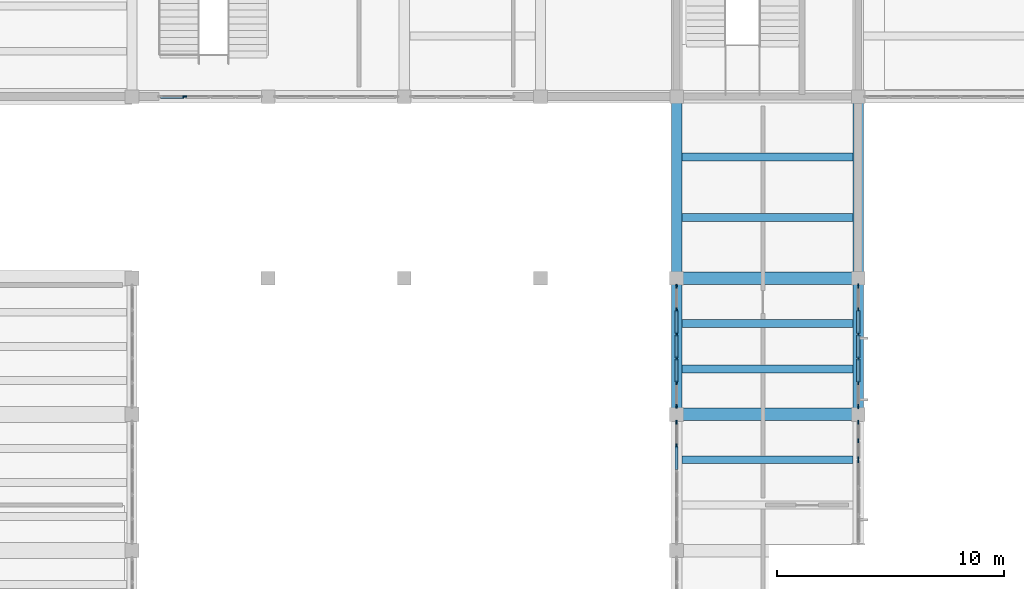
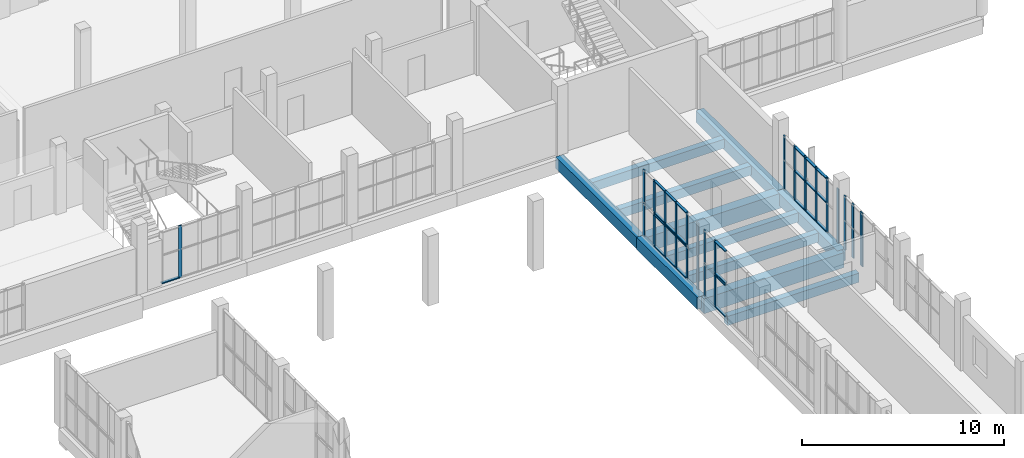
# One storey, part 21 of 85: 53 members, 11 beams, 8 elements without a shape of their own.
"""IFC4 building model written with IfcOpenShell, lengths in metres."""

from ifc_helpers import new_model, si_unit, direction, frame, origin, origin_2d, place, context, subcontext, project, spatial, rectangle, extrude, material, layer, layer_set, material_profile, profile_set, type_object, element, aggregate, save


model = new_model("IFC4")

# Units and contexts
model_context = context("Model", 3, precision=1e-05, world=origin(), true_north=direction((0.0, 1.0)))
body_context = subcontext(model_context, "Body", "Model", "MODEL_VIEW")
ifc_project = project(units=[si_unit("LENGTHUNIT", "METRE"), si_unit("AREAUNIT", "SQUARE_METRE"), si_unit("VOLUMEUNIT", "CUBIC_METRE"), si_unit("PLANEANGLEUNIT", "RADIAN"), si_unit("MASSUNIT", "GRAM", prefix="KILO")], contexts=[model_context])

# Site, building, storey
site_placement = place(None, origin())
site = spatial("IfcSite", under=ifc_project, at=site_placement, CompositionType="ELEMENT")
building_placement = place(site_placement, origin())
building = spatial("IfcBuilding", under=site, at=building_placement, Name="Solvane Community Centre", CompositionType="ELEMENT")
storey_placement = place(building_placement, frame((0.0, 0.0, 5.39990234375)))
storey = spatial("IfcBuildingStorey", under=building, at=storey_placement, Name="L01", CompositionType="ELEMENT", Elevation=5.39990234375)

# Curtain wall, member
ifc_material_1 = material(Name="Anodised bronze aluminium AW-6063 T6", Category="aluminium")
ifc_layer_1 = layer(ifc_material_1, 0.18994140625)
ifc_layer_set_1 = layer_set([ifc_layer_1], Name="Anodised bronze aluminium AW-6063 T6")
curtain_wall_type_1 = type_object("IfcCurtainWallType", Name="Boulevard Bronze Vision Curtain Wall [45x31dm]", PredefinedType="NOTDEFINED", material=ifc_layer_set_1)
curtain_wall_1_placement = place(storey_placement, origin())
curtain_wall_1 = element("IfcCurtainWall", 1, at=curtain_wall_1_placement, inside=storey, type_object=curtain_wall_type_1, Name="Curtain Wall CW-L01-417_860-099", PredefinedType="NOTDEFINED")
ifc_material_profile_1 = material_profile(ifc_material_1, rectangle(XDim=0.06005859375, YDim=0.18994140625, at=origin_2d()), Name="CW-M 60x190")
ifc_profile_set_1 = profile_set([ifc_material_profile_1], Name="Anodised bronze aluminium AW-6063 T6")
member_type_1 = type_object("IfcMemberType", Name="Boulevard Mullion 60x190", PredefinedType="MULLION", material=ifc_profile_set_1)
member_1_placement = place(storey_placement, frame((38.3212890625, 86.0, 0.0), z_axis=(0.0, 0.0, 1.0), x_axis=(0.0, -1.0, 0.0)))
member_1 = element("IfcMember", 2, at=member_1_placement, type_object=member_type_1, Name="CW02-45x31 mullion 4", PredefinedType="MULLION", context=body_context, shape_type="SweptSolid", body=[
    extrude(rectangle(XDim=0.06005859375, YDim=0.18994140625, at=origin_2d()), origin(), (0.0, 0.0, 1.0), 3.135009765625),
])

# Curtain wall, members
ifc_layer_2 = layer(ifc_material_1, 0.18994140625)
ifc_layer_set_2 = layer_set([ifc_layer_2], Name="Anodised bronze aluminium AW-6063 T6")
curtain_wall_type_2 = type_object("IfcCurtainWallType", Name="Boulevard Bronze Vision Curtain Wall [54x32dm]", PredefinedType="NOTDEFINED", material=ifc_layer_set_2)
curtain_wall_2_placement = place(storey_placement, origin())
curtain_wall_2 = element("IfcCurtainWall", 3, at=curtain_wall_2_placement, inside=storey, type_object=curtain_wall_type_2, Name="Curtain Wall CW-L01-680_777-103", PredefinedType="NOTDEFINED")
member_2_placement = place(storey_placement, frame((68.0, 77.64990234375, 0.0), z_axis=(0.0, 0.0, 1.0), x_axis=(1.0, 0.0, 0.0)))
member_2 = element("IfcMember", 4, at=member_2_placement, type_object=member_type_1, Name="CW02-54x32 mullion 1", PredefinedType="MULLION", context=body_context, shape_type="SweptSolid", body=[
    extrude(rectangle(XDim=0.06005859375, YDim=0.18994140625, at=origin_2d()), origin(), (0.0, 0.0, 1.0), 3.2451171875),
])
member_3_placement = place(storey_placement, frame((68.0, 76.60791015625, 0.0), z_axis=(0.0, 0.0, 1.0), x_axis=(1.0, 0.0, 0.0)))
member_3 = element("IfcMember", 5, at=member_3_placement, type_object=member_type_1, Name="CW02-54x32 mullion 2", PredefinedType="MULLION", context=body_context, shape_type="SweptSolid", body=[
    extrude(rectangle(XDim=0.06005859375, YDim=0.18994140625, at=origin_2d()), origin(), (0.0, 0.0, 1.0), 3.2451171875),
])
member_4_placement = place(storey_placement, frame((68.0, 75.535888671875, 0.0), z_axis=(0.0, 0.0, 1.0), x_axis=(1.0, 0.0, 0.0)))
member_4 = element("IfcMember", 6, at=member_4_placement, type_object=member_type_1, Name="CW02-54x32 mullion 3", PredefinedType="MULLION", context=body_context, shape_type="SweptSolid", body=[
    extrude(rectangle(XDim=0.06005859375, YDim=0.18994140625, at=origin_2d()), origin(), (0.0, 0.0, 1.0), 3.2451171875),
])
member_5_placement = place(storey_placement, frame((68.0, 74.464111328125, 0.0), z_axis=(0.0, 0.0, 1.0), x_axis=(1.0, 0.0, 0.0)))
member_5 = element("IfcMember", 7, at=member_5_placement, type_object=member_type_1, Name="CW02-54x32 mullion 4", PredefinedType="MULLION", context=body_context, shape_type="SweptSolid", body=[
    extrude(rectangle(XDim=0.06005859375, YDim=0.18994140625, at=origin_2d()), origin(), (0.0, 0.0, 1.0), 3.2451171875),
])
member_6_placement = place(storey_placement, frame((68.0, 73.39208984375, 0.0), z_axis=(0.0, 0.0, 1.0), x_axis=(1.0, 0.0, 0.0)))
member_6 = element("IfcMember", 8, at=member_6_placement, type_object=member_type_1, Name="CW02-54x32 mullion 5", PredefinedType="MULLION", context=body_context, shape_type="SweptSolid", body=[
    extrude(rectangle(XDim=0.06005859375, YDim=0.18994140625, at=origin_2d()), origin(), (0.0, 0.0, 1.0), 3.2451171875),
])
member_7_placement = place(storey_placement, frame((68.0, 72.35009765625, 0.0), z_axis=(0.0, 0.0, 1.0), x_axis=(1.0, 0.0, 0.0)))
member_7 = element("IfcMember", 9, at=member_7_placement, type_object=member_type_1, Name="CW02-54x32 mullion 6", PredefinedType="MULLION", context=body_context, shape_type="SweptSolid", body=[
    extrude(rectangle(XDim=0.06005859375, YDim=0.18994140625, at=origin_2d()), origin(), (0.0, 0.0, 1.0), 3.2451171875),
])

ifc_layer_3 = layer(ifc_material_1, 0.18994140625)
ifc_layer_set_3 = layer_set([ifc_layer_3], Name="Anodised bronze aluminium AW-6063 T6")
curtain_wall_type_3 = type_object("IfcCurtainWallType", Name="Boulevard Bronze Vision Curtain Wall [17x32dm]", PredefinedType="NOTDEFINED", material=ifc_layer_set_3)
curtain_wall_3_placement = place(storey_placement, origin())
curtain_wall_3 = element("IfcCurtainWall", 10, at=curtain_wall_3_placement, inside=storey, type_object=curtain_wall_type_3, Name="Curtain Wall CW-L01-680_717-104", PredefinedType="NOTDEFINED")
member_8_placement = place(storey_placement, frame((68.0, 71.64990234375, 0.0), z_axis=(0.0, 0.0, 1.0), x_axis=(1.0, 0.0, 0.0)))
member_8 = element("IfcMember", 11, at=member_8_placement, type_object=member_type_1, Name="CW02-17x32 mullion 1", PredefinedType="MULLION", context=body_context, shape_type="SweptSolid", body=[
    extrude(rectangle(XDim=0.06005859375, YDim=0.18994140625, at=origin_2d()), origin(), (0.0, 0.0, 1.0), 3.2451171875),
])
member_9_placement = place(storey_placement, frame((68.0, 70.840087890625, 0.0), z_axis=(0.0, 0.0, 1.0), x_axis=(1.0, 0.0, 0.0)))
member_9 = element("IfcMember", 12, at=member_9_placement, type_object=member_type_1, Name="CW02-17x32 mullion 2", PredefinedType="MULLION", context=body_context, shape_type="SweptSolid", body=[
    extrude(rectangle(XDim=0.06005859375, YDim=0.18994140625, at=origin_2d()), origin(), (0.0, 0.0, 1.0), 3.2451171875),
])
member_10_placement = place(storey_placement, frame((68.0, 70.030029296875, 0.0), z_axis=(0.0, 0.0, 1.0), x_axis=(1.0, 0.0, 0.0)))
member_10 = element("IfcMember", 13, at=member_10_placement, type_object=member_type_1, Name="CW02-17x32 mullion 3", PredefinedType="MULLION", context=body_context, shape_type="SweptSolid", body=[
    extrude(rectangle(XDim=0.06005859375, YDim=0.18994140625, at=origin_2d()), origin(), (0.0, 0.0, 1.0), 3.2451171875),
])
aggregate(curtain_wall_3, [member_8, member_9, member_10])

# Curtain wall, member
ifc_layer_4 = layer(ifc_material_1, 0.18994140625)
ifc_layer_set_4 = layer_set([ifc_layer_4], Name="Anodised bronze aluminium AW-6063 T6")
curtain_wall_type_4 = type_object("IfcCurtainWallType", Name="Boulevard Bronze Vision Curtain Wall [37x32dm]", PredefinedType="NOTDEFINED", material=ifc_layer_set_4)
curtain_wall_4_placement = place(storey_placement, origin())
curtain_wall_4 = element("IfcCurtainWall", 14, at=curtain_wall_4_placement, inside=storey, type_object=curtain_wall_type_4, Name="Curtain Wall CW-L01-680_700-105", PredefinedType="NOTDEFINED")
member_11_placement = place(storey_placement, frame((68.0, 69.969970703125, 0.0), z_axis=(0.0, 0.0, 1.0), x_axis=(1.0, 0.0, 0.0)))
member_11 = element("IfcMember", 15, at=member_11_placement, type_object=member_type_1, Name="CW02-37x32 mullion 1", PredefinedType="MULLION", context=body_context, shape_type="SweptSolid", body=[
    extrude(rectangle(XDim=0.06005859375, YDim=0.18994140625, at=origin_2d()), origin(), (0.0, 0.0, 1.0), 3.2451171875),
])
aggregate(curtain_wall_4, [member_11])

# Member
ifc_material_profile_2 = material_profile(ifc_material_1, rectangle(XDim=0.14990234375, YDim=0.06005859375, at=origin_2d()), Name="CW-T 60x150")
ifc_profile_set_2 = profile_set([ifc_material_profile_2], Name="Anodised bronze aluminium AW-6063 T6")
member_type_2 = type_object("IfcMemberType", Name="Boulevard Transom 60x150", PredefinedType="USERDEFINED", material=ifc_profile_set_2)
member_12_placement = place(storey_placement, frame((38.291259765625, 86.0, 0.030029296875), z_axis=(-1.0, 0.0, 0.0), x_axis=(0.0, -1.0, 0.0)))
member_12 = element("IfcMember", 16, at=member_12_placement, type_object=member_type_2, Name="CW02-45x31 transom 4.1", ObjectType="TRANSOM", PredefinedType="USERDEFINED", context=body_context, shape_type="SweptSolid", body=[
    extrude(rectangle(XDim=0.14990234375, YDim=0.06005859375, at=origin_2d()), origin(), (0.0, 0.0, 1.0), 1.03125),
])

aggregate(curtain_wall_1, [member_1, member_12])

member_13_placement = place(storey_placement, frame((68.0, 76.577880859375, 0.030029296875), z_axis=(0.0, -1.0, 0.0), x_axis=(1.0, 0.0, 0.0)))
member_13 = element("IfcMember", 17, at=member_13_placement, type_object=member_type_2, Name="CW02-54x32 transom 2.1", ObjectType="TRANSOM", PredefinedType="USERDEFINED", context=body_context, shape_type="SweptSolid", body=[
    extrude(rectangle(XDim=0.14990234375, YDim=0.06005859375, at=origin_2d()), origin(), (0.0, 0.0, 1.0), 1.011962890625),
])

member_14_placement = place(storey_placement, frame((68.0, 76.577880859375, 1.78515625), z_axis=(0.0, -1.0, 0.0), x_axis=(1.0, 0.0, 0.0)))
member_14 = element("IfcMember", 18, at=member_14_placement, type_object=member_type_2, Name="CW02-54x32 transom 2.2", ObjectType="TRANSOM", PredefinedType="USERDEFINED", context=body_context, shape_type="SweptSolid", body=[
    extrude(rectangle(XDim=0.14990234375, YDim=0.06005859375, at=origin_2d()), origin(), (0.0, 0.0, 1.0), 1.011962890625),
])

member_15_placement = place(storey_placement, frame((68.0, 76.577880859375, 3.215087890625), z_axis=(0.0, -1.0, 0.0), x_axis=(1.0, 0.0, 0.0)))
member_15 = element("IfcMember", 19, at=member_15_placement, type_object=member_type_2, Name="CW02-54x32 transom 2.3", ObjectType="TRANSOM", PredefinedType="USERDEFINED", context=body_context, shape_type="SweptSolid", body=[
    extrude(rectangle(XDim=0.14990234375, YDim=0.06005859375, at=origin_2d()), origin(), (0.0, 0.0, 1.0), 1.011962890625),
])

member_16_placement = place(storey_placement, frame((68.0, 75.506103515625, 0.030029296875), z_axis=(0.0, -1.0, 0.0), x_axis=(1.0, 0.0, 0.0)))
member_16 = element("IfcMember", 20, at=member_16_placement, type_object=member_type_2, Name="CW02-54x32 transom 3.1", ObjectType="TRANSOM", PredefinedType="USERDEFINED", context=body_context, shape_type="SweptSolid", body=[
    extrude(rectangle(XDim=0.14990234375, YDim=0.06005859375, at=origin_2d()), origin(), (0.0, 0.0, 1.0), 1.01220703125),
])

member_17_placement = place(storey_placement, frame((68.0, 75.506103515625, 1.78515625), z_axis=(0.0, -1.0, 0.0), x_axis=(1.0, 0.0, 0.0)))
member_17 = element("IfcMember", 21, at=member_17_placement, type_object=member_type_2, Name="CW02-54x32 transom 3.2", ObjectType="TRANSOM", PredefinedType="USERDEFINED", context=body_context, shape_type="SweptSolid", body=[
    extrude(rectangle(XDim=0.14990234375, YDim=0.06005859375, at=origin_2d()), origin(), (0.0, 0.0, 1.0), 1.01220703125),
])

member_18_placement = place(storey_placement, frame((68.0, 75.506103515625, 3.215087890625), z_axis=(0.0, -1.0, 0.0), x_axis=(1.0, 0.0, 0.0)))
member_18 = element("IfcMember", 22, at=member_18_placement, type_object=member_type_2, Name="CW02-54x32 transom 3.3", ObjectType="TRANSOM", PredefinedType="USERDEFINED", context=body_context, shape_type="SweptSolid", body=[
    extrude(rectangle(XDim=0.14990234375, YDim=0.06005859375, at=origin_2d()), origin(), (0.0, 0.0, 1.0), 1.01220703125),
])

member_19_placement = place(storey_placement, frame((68.0, 74.43408203125, 0.030029296875), z_axis=(0.0, -1.0, 0.0), x_axis=(1.0, 0.0, 0.0)))
member_19 = element("IfcMember", 23, at=member_19_placement, type_object=member_type_2, Name="CW02-54x32 transom 4.1", ObjectType="TRANSOM", PredefinedType="USERDEFINED", context=body_context, shape_type="SweptSolid", body=[
    extrude(rectangle(XDim=0.14990234375, YDim=0.06005859375, at=origin_2d()), origin(), (0.0, 0.0, 1.0), 1.011962890625),
])

member_20_placement = place(storey_placement, frame((68.0, 74.43408203125, 1.78515625), z_axis=(0.0, -1.0, 0.0), x_axis=(1.0, 0.0, 0.0)))
member_20 = element("IfcMember", 24, at=member_20_placement, type_object=member_type_2, Name="CW02-54x32 transom 4.2", ObjectType="TRANSOM", PredefinedType="USERDEFINED", context=body_context, shape_type="SweptSolid", body=[
    extrude(rectangle(XDim=0.14990234375, YDim=0.06005859375, at=origin_2d()), origin(), (0.0, 0.0, 1.0), 1.011962890625),
])

member_21_placement = place(storey_placement, frame((68.0, 74.43408203125, 3.215087890625), z_axis=(0.0, -1.0, 0.0), x_axis=(1.0, 0.0, 0.0)))
member_21 = element("IfcMember", 25, at=member_21_placement, type_object=member_type_2, Name="CW02-54x32 transom 4.3", ObjectType="TRANSOM", PredefinedType="USERDEFINED", context=body_context, shape_type="SweptSolid", body=[
    extrude(rectangle(XDim=0.14990234375, YDim=0.06005859375, at=origin_2d()), origin(), (0.0, 0.0, 1.0), 1.011962890625),
])

aggregate(curtain_wall_2, [member_2, member_3, member_4, member_5, member_6, member_7, member_13, member_14, member_15, member_16, member_17, member_18, member_19, member_20, member_21])

# Curtain wall, members
ifc_layer_5 = layer(ifc_material_1, 0.179931640625)
ifc_layer_set_5 = layer_set([ifc_layer_5], Name="Anodised bronze aluminium AW-6063 T6")
curtain_wall_type_5 = type_object("IfcCurtainWallType", Name="Hall Translucent Upper Curtain Wall [54x19dm]", PredefinedType="NOTDEFINED", material=ifc_layer_set_5)
curtain_wall_5_placement = place(storey_placement, origin())
curtain_wall_5 = element("IfcCurtainWall", 26, at=curtain_wall_5_placement, inside=storey, type_object=curtain_wall_type_5, Name="Curtain Wall CW-L01-600_717-059", PredefinedType="NOTDEFINED")
ifc_material_profile_3 = material_profile(ifc_material_1, rectangle(XDim=0.06005859375, YDim=0.179931640625, at=origin_2d()), Name="CW-M 60x180")
ifc_profile_set_3 = profile_set([ifc_material_profile_3], Name="Anodised bronze aluminium AW-6063 T6")
member_type_3 = type_object("IfcMemberType", Name="Hall Mullion 60x180", PredefinedType="MULLION", material=ifc_profile_set_3)
member_22_placement = place(storey_placement, frame((60.0, 71.64990234375, 0.0), z_axis=(0.0, 0.0, 1.0), x_axis=(1.0, 0.0, 0.0)))
member_22 = element("IfcMember", 27, at=member_22_placement, type_object=member_type_3, Name="CW01-54x19 mullion 1", PredefinedType="MULLION", context=body_context, shape_type="SweptSolid", body=[
    extrude(rectangle(XDim=0.06005859375, YDim=0.179931640625, at=origin_2d()), origin(), (0.0, 0.0, 1.0), 1.9501953125),
])
member_23_placement = place(storey_placement, frame((60.0, 70.60791015625, 0.0), z_axis=(0.0, 0.0, 1.0), x_axis=(1.0, 0.0, 0.0)))
member_23 = element("IfcMember", 28, at=member_23_placement, type_object=member_type_3, Name="CW01-54x19 mullion 2", PredefinedType="MULLION", context=body_context, shape_type="SweptSolid", body=[
    extrude(rectangle(XDim=0.06005859375, YDim=0.179931640625, at=origin_2d()), origin(), (0.0, 0.0, 1.0), 1.9501953125),
])

ifc_layer_6 = layer(ifc_material_1, 0.179931640625)
ifc_layer_set_6 = layer_set([ifc_layer_6], Name="Anodised bronze aluminium AW-6063 T6")
curtain_wall_type_6 = type_object("IfcCurtainWallType", Name="Hall Translucent Upper Curtain Wall [54x20dm]", PredefinedType="NOTDEFINED", material=ifc_layer_set_6)
curtain_wall_6_placement = place(storey_placement, origin())
curtain_wall_6 = element("IfcCurtainWall", 29, at=curtain_wall_6_placement, inside=storey, type_object=curtain_wall_type_6, Name="Curtain Wall CW-L01-600_717-060", PredefinedType="NOTDEFINED")
member_24_placement = place(storey_placement, frame((60.0, 71.64990234375, 2.02001953125), z_axis=(0.0, 0.0, 1.0), x_axis=(1.0, 0.0, 0.0)))
member_24 = element("IfcMember", 30, at=member_24_placement, type_object=member_type_3, Name="CW01-54x20 mullion 1", PredefinedType="MULLION", context=body_context, shape_type="SweptSolid", body=[
    extrude(rectangle(XDim=0.06005859375, YDim=0.179931640625, at=origin_2d()), origin(), (0.0, 0.0, 1.0), 1.9599609375),
])
member_25_placement = place(storey_placement, frame((60.0, 70.60791015625, 2.02001953125), z_axis=(0.0, 0.0, 1.0), x_axis=(1.0, 0.0, 0.0)))
member_25 = element("IfcMember", 31, at=member_25_placement, type_object=member_type_3, Name="CW01-54x20 mullion 2", PredefinedType="MULLION", context=body_context, shape_type="SweptSolid", body=[
    extrude(rectangle(XDim=0.06005859375, YDim=0.179931640625, at=origin_2d()), origin(), (0.0, 0.0, 1.0), 1.9599609375),
])

curtain_wall_7_placement = place(storey_placement, origin())
curtain_wall_7 = element("IfcCurtainWall", 32, at=curtain_wall_7_placement, inside=storey, type_object=curtain_wall_type_5, Name="Curtain Wall CW-L01-600_777-067", PredefinedType="NOTDEFINED")
member_26_placement = place(storey_placement, frame((60.0, 77.64990234375, 0.0), z_axis=(0.0, 0.0, 1.0), x_axis=(1.0, 0.0, 0.0)))
member_26 = element("IfcMember", 33, at=member_26_placement, type_object=member_type_3, Name="CW01-54x19 mullion 1", PredefinedType="MULLION", context=body_context, shape_type="SweptSolid", body=[
    extrude(rectangle(XDim=0.06005859375, YDim=0.179931640625, at=origin_2d()), origin(), (0.0, 0.0, 1.0), 1.9501953125),
])
member_27_placement = place(storey_placement, frame((60.0, 76.60791015625, 0.0), z_axis=(0.0, 0.0, 1.0), x_axis=(1.0, 0.0, 0.0)))
member_27 = element("IfcMember", 34, at=member_27_placement, type_object=member_type_3, Name="CW01-54x19 mullion 2", PredefinedType="MULLION", context=body_context, shape_type="SweptSolid", body=[
    extrude(rectangle(XDim=0.06005859375, YDim=0.179931640625, at=origin_2d()), origin(), (0.0, 0.0, 1.0), 1.9501953125),
])
member_28_placement = place(storey_placement, frame((60.0, 75.535888671875, 0.0), z_axis=(0.0, 0.0, 1.0), x_axis=(1.0, 0.0, 0.0)))
member_28 = element("IfcMember", 35, at=member_28_placement, type_object=member_type_3, Name="CW01-54x19 mullion 3", PredefinedType="MULLION", context=body_context, shape_type="SweptSolid", body=[
    extrude(rectangle(XDim=0.06005859375, YDim=0.179931640625, at=origin_2d()), origin(), (0.0, 0.0, 1.0), 1.9501953125),
])
member_29_placement = place(storey_placement, frame((60.0, 74.464111328125, 0.0), z_axis=(0.0, 0.0, 1.0), x_axis=(1.0, 0.0, 0.0)))
member_29 = element("IfcMember", 36, at=member_29_placement, type_object=member_type_3, Name="CW01-54x19 mullion 4", PredefinedType="MULLION", context=body_context, shape_type="SweptSolid", body=[
    extrude(rectangle(XDim=0.06005859375, YDim=0.179931640625, at=origin_2d()), origin(), (0.0, 0.0, 1.0), 1.9501953125),
])
member_30_placement = place(storey_placement, frame((60.0, 73.39208984375, 0.0), z_axis=(0.0, 0.0, 1.0), x_axis=(1.0, 0.0, 0.0)))
member_30 = element("IfcMember", 37, at=member_30_placement, type_object=member_type_3, Name="CW01-54x19 mullion 5", PredefinedType="MULLION", context=body_context, shape_type="SweptSolid", body=[
    extrude(rectangle(XDim=0.06005859375, YDim=0.179931640625, at=origin_2d()), origin(), (0.0, 0.0, 1.0), 1.9501953125),
])
member_31_placement = place(storey_placement, frame((60.0, 72.35009765625, 0.0), z_axis=(0.0, 0.0, 1.0), x_axis=(1.0, 0.0, 0.0)))
member_31 = element("IfcMember", 38, at=member_31_placement, type_object=member_type_3, Name="CW01-54x19 mullion 6", PredefinedType="MULLION", context=body_context, shape_type="SweptSolid", body=[
    extrude(rectangle(XDim=0.06005859375, YDim=0.179931640625, at=origin_2d()), origin(), (0.0, 0.0, 1.0), 1.9501953125),
])

curtain_wall_8_placement = place(storey_placement, origin())
curtain_wall_8 = element("IfcCurtainWall", 39, at=curtain_wall_8_placement, inside=storey, type_object=curtain_wall_type_6, Name="Curtain Wall CW-L01-600_777-068", PredefinedType="NOTDEFINED")
member_32_placement = place(storey_placement, frame((60.0, 77.64990234375, 2.02001953125), z_axis=(0.0, 0.0, 1.0), x_axis=(1.0, 0.0, 0.0)))
member_32 = element("IfcMember", 40, at=member_32_placement, type_object=member_type_3, Name="CW01-54x20 mullion 1", PredefinedType="MULLION", context=body_context, shape_type="SweptSolid", body=[
    extrude(rectangle(XDim=0.06005859375, YDim=0.179931640625, at=origin_2d()), origin(), (0.0, 0.0, 1.0), 1.9599609375),
])
member_33_placement = place(storey_placement, frame((60.0, 76.60791015625, 2.02001953125), z_axis=(0.0, 0.0, 1.0), x_axis=(1.0, 0.0, 0.0)))
member_33 = element("IfcMember", 41, at=member_33_placement, type_object=member_type_3, Name="CW01-54x20 mullion 2", PredefinedType="MULLION", context=body_context, shape_type="SweptSolid", body=[
    extrude(rectangle(XDim=0.06005859375, YDim=0.179931640625, at=origin_2d()), origin(), (0.0, 0.0, 1.0), 1.9599609375),
])
member_34_placement = place(storey_placement, frame((60.0, 75.535888671875, 2.02001953125), z_axis=(0.0, 0.0, 1.0), x_axis=(1.0, 0.0, 0.0)))
member_34 = element("IfcMember", 42, at=member_34_placement, type_object=member_type_3, Name="CW01-54x20 mullion 3", PredefinedType="MULLION", context=body_context, shape_type="SweptSolid", body=[
    extrude(rectangle(XDim=0.06005859375, YDim=0.179931640625, at=origin_2d()), origin(), (0.0, 0.0, 1.0), 1.9599609375),
])
member_35_placement = place(storey_placement, frame((60.0, 74.464111328125, 2.02001953125), z_axis=(0.0, 0.0, 1.0), x_axis=(1.0, 0.0, 0.0)))
member_35 = element("IfcMember", 43, at=member_35_placement, type_object=member_type_3, Name="CW01-54x20 mullion 4", PredefinedType="MULLION", context=body_context, shape_type="SweptSolid", body=[
    extrude(rectangle(XDim=0.06005859375, YDim=0.179931640625, at=origin_2d()), origin(), (0.0, 0.0, 1.0), 1.9599609375),
])
member_36_placement = place(storey_placement, frame((60.0, 73.39208984375, 2.02001953125), z_axis=(0.0, 0.0, 1.0), x_axis=(1.0, 0.0, 0.0)))
member_36 = element("IfcMember", 44, at=member_36_placement, type_object=member_type_3, Name="CW01-54x20 mullion 5", PredefinedType="MULLION", context=body_context, shape_type="SweptSolid", body=[
    extrude(rectangle(XDim=0.06005859375, YDim=0.179931640625, at=origin_2d()), origin(), (0.0, 0.0, 1.0), 1.9599609375),
])
member_37_placement = place(storey_placement, frame((60.0, 72.35009765625, 2.02001953125), z_axis=(0.0, 0.0, 1.0), x_axis=(1.0, 0.0, 0.0)))
member_37 = element("IfcMember", 45, at=member_37_placement, type_object=member_type_3, Name="CW01-54x20 mullion 6", PredefinedType="MULLION", context=body_context, shape_type="SweptSolid", body=[
    extrude(rectangle(XDim=0.06005859375, YDim=0.179931640625, at=origin_2d()), origin(), (0.0, 0.0, 1.0), 1.9599609375),
])

# Member
ifc_material_profile_4 = material_profile(ifc_material_1, rectangle(XDim=0.139892578125, YDim=0.06005859375, at=origin_2d()), Name="CW-T 60x140")
ifc_profile_set_4 = profile_set([ifc_material_profile_4], Name="Anodised bronze aluminium AW-6063 T6")
member_type_4 = type_object("IfcMemberType", Name="Hall Transom 60x140", PredefinedType="USERDEFINED", material=ifc_profile_set_4)
member_38_placement = place(storey_placement, frame((60.0, 70.577880859375, 0.030029296875), z_axis=(0.0, -1.0, 0.0), x_axis=(1.0, 0.0, 0.0)))
member_38 = element("IfcMember", 46, at=member_38_placement, type_object=member_type_4, Name="CW01-54x19 transom 2.1", ObjectType="TRANSOM", PredefinedType="USERDEFINED", context=body_context, shape_type="SweptSolid", body=[
    extrude(rectangle(XDim=0.139892578125, YDim=0.06005859375, at=origin_2d()), origin(), (0.0, 0.0, 1.0), 1.011962890625),
])

member_39_placement = place(storey_placement, frame((60.0, 70.577880859375, 1.920166015625), z_axis=(0.0, -1.0, 0.0), x_axis=(1.0, 0.0, 0.0)))
member_39 = element("IfcMember", 47, at=member_39_placement, type_object=member_type_4, Name="CW01-54x19 transom 2.2", ObjectType="TRANSOM", PredefinedType="USERDEFINED", context=body_context, shape_type="SweptSolid", body=[
    extrude(rectangle(XDim=0.139892578125, YDim=0.06005859375, at=origin_2d()), origin(), (0.0, 0.0, 1.0), 1.011962890625),
])

aggregate(curtain_wall_5, [member_22, member_23, member_38, member_39])

member_40_placement = place(storey_placement, frame((60.0, 70.577880859375, 2.050048828125), z_axis=(0.0, -1.0, 0.0), x_axis=(1.0, 0.0, 0.0)))
member_40 = element("IfcMember", 48, at=member_40_placement, type_object=member_type_4, Name="CW01-54x20 transom 2.1", ObjectType="TRANSOM", PredefinedType="USERDEFINED", context=body_context, shape_type="SweptSolid", body=[
    extrude(rectangle(XDim=0.139892578125, YDim=0.06005859375, at=origin_2d()), origin(), (0.0, 0.0, 1.0), 1.011962890625),
])

member_41_placement = place(storey_placement, frame((60.0, 70.577880859375, 3.9501953125), z_axis=(0.0, -1.0, 0.0), x_axis=(1.0, 0.0, 0.0)))
member_41 = element("IfcMember", 49, at=member_41_placement, type_object=member_type_4, Name="CW01-54x20 transom 2.2", ObjectType="TRANSOM", PredefinedType="USERDEFINED", context=body_context, shape_type="SweptSolid", body=[
    extrude(rectangle(XDim=0.139892578125, YDim=0.06005859375, at=origin_2d()), origin(), (0.0, 0.0, 1.0), 1.011962890625),
])

aggregate(curtain_wall_6, [member_24, member_25, member_40, member_41])

member_42_placement = place(storey_placement, frame((60.0, 76.577880859375, 0.030029296875), z_axis=(0.0, -1.0, 0.0), x_axis=(1.0, 0.0, 0.0)))
member_42 = element("IfcMember", 50, at=member_42_placement, type_object=member_type_4, Name="CW01-54x19 transom 2.1", ObjectType="TRANSOM", PredefinedType="USERDEFINED", context=body_context, shape_type="SweptSolid", body=[
    extrude(rectangle(XDim=0.139892578125, YDim=0.06005859375, at=origin_2d()), origin(), (0.0, 0.0, 1.0), 1.011962890625),
])

member_43_placement = place(storey_placement, frame((60.0, 76.577880859375, 1.920166015625), z_axis=(0.0, -1.0, 0.0), x_axis=(1.0, 0.0, 0.0)))
member_43 = element("IfcMember", 51, at=member_43_placement, type_object=member_type_4, Name="CW01-54x19 transom 2.2", ObjectType="TRANSOM", PredefinedType="USERDEFINED", context=body_context, shape_type="SweptSolid", body=[
    extrude(rectangle(XDim=0.139892578125, YDim=0.06005859375, at=origin_2d()), origin(), (0.0, 0.0, 1.0), 1.011962890625),
])

member_44_placement = place(storey_placement, frame((60.0, 75.506103515625, 0.030029296875), z_axis=(0.0, -1.0, 0.0), x_axis=(1.0, 0.0, 0.0)))
member_44 = element("IfcMember", 52, at=member_44_placement, type_object=member_type_4, Name="CW01-54x19 transom 3.1", ObjectType="TRANSOM", PredefinedType="USERDEFINED", context=body_context, shape_type="SweptSolid", body=[
    extrude(rectangle(XDim=0.139892578125, YDim=0.06005859375, at=origin_2d()), origin(), (0.0, 0.0, 1.0), 1.01220703125),
])

member_45_placement = place(storey_placement, frame((60.0, 75.506103515625, 1.920166015625), z_axis=(0.0, -1.0, 0.0), x_axis=(1.0, 0.0, 0.0)))
member_45 = element("IfcMember", 53, at=member_45_placement, type_object=member_type_4, Name="CW01-54x19 transom 3.2", ObjectType="TRANSOM", PredefinedType="USERDEFINED", context=body_context, shape_type="SweptSolid", body=[
    extrude(rectangle(XDim=0.139892578125, YDim=0.06005859375, at=origin_2d()), origin(), (0.0, 0.0, 1.0), 1.01220703125),
])

member_46_placement = place(storey_placement, frame((60.0, 74.43408203125, 0.030029296875), z_axis=(0.0, -1.0, 0.0), x_axis=(1.0, 0.0, 0.0)))
member_46 = element("IfcMember", 54, at=member_46_placement, type_object=member_type_4, Name="CW01-54x19 transom 4.1", ObjectType="TRANSOM", PredefinedType="USERDEFINED", context=body_context, shape_type="SweptSolid", body=[
    extrude(rectangle(XDim=0.139892578125, YDim=0.06005859375, at=origin_2d()), origin(), (0.0, 0.0, 1.0), 1.011962890625),
])

member_47_placement = place(storey_placement, frame((60.0, 74.43408203125, 1.920166015625), z_axis=(0.0, -1.0, 0.0), x_axis=(1.0, 0.0, 0.0)))
member_47 = element("IfcMember", 55, at=member_47_placement, type_object=member_type_4, Name="CW01-54x19 transom 4.2", ObjectType="TRANSOM", PredefinedType="USERDEFINED", context=body_context, shape_type="SweptSolid", body=[
    extrude(rectangle(XDim=0.139892578125, YDim=0.06005859375, at=origin_2d()), origin(), (0.0, 0.0, 1.0), 1.011962890625),
])

aggregate(curtain_wall_7, [member_26, member_27, member_28, member_29, member_30, member_31, member_42, member_43, member_44, member_45, member_46, member_47])

member_48_placement = place(storey_placement, frame((60.0, 76.577880859375, 2.050048828125), z_axis=(0.0, -1.0, 0.0), x_axis=(1.0, 0.0, 0.0)))
member_48 = element("IfcMember", 56, at=member_48_placement, type_object=member_type_4, Name="CW01-54x20 transom 2.1", ObjectType="TRANSOM", PredefinedType="USERDEFINED", context=body_context, shape_type="SweptSolid", body=[
    extrude(rectangle(XDim=0.139892578125, YDim=0.06005859375, at=origin_2d()), origin(), (0.0, 0.0, 1.0), 1.011962890625),
])

member_49_placement = place(storey_placement, frame((60.0, 76.577880859375, 3.9501953125), z_axis=(0.0, -1.0, 0.0), x_axis=(1.0, 0.0, 0.0)))
member_49 = element("IfcMember", 57, at=member_49_placement, type_object=member_type_4, Name="CW01-54x20 transom 2.2", ObjectType="TRANSOM", PredefinedType="USERDEFINED", context=body_context, shape_type="SweptSolid", body=[
    extrude(rectangle(XDim=0.139892578125, YDim=0.06005859375, at=origin_2d()), origin(), (0.0, 0.0, 1.0), 1.011962890625),
])

member_50_placement = place(storey_placement, frame((60.0, 75.506103515625, 2.050048828125), z_axis=(0.0, -1.0, 0.0), x_axis=(1.0, 0.0, 0.0)))
member_50 = element("IfcMember", 58, at=member_50_placement, type_object=member_type_4, Name="CW01-54x20 transom 3.1", ObjectType="TRANSOM", PredefinedType="USERDEFINED", context=body_context, shape_type="SweptSolid", body=[
    extrude(rectangle(XDim=0.139892578125, YDim=0.06005859375, at=origin_2d()), origin(), (0.0, 0.0, 1.0), 1.01220703125),
])

member_51_placement = place(storey_placement, frame((60.0, 75.506103515625, 3.9501953125), z_axis=(0.0, -1.0, 0.0), x_axis=(1.0, 0.0, 0.0)))
member_51 = element("IfcMember", 59, at=member_51_placement, type_object=member_type_4, Name="CW01-54x20 transom 3.2", ObjectType="TRANSOM", PredefinedType="USERDEFINED", context=body_context, shape_type="SweptSolid", body=[
    extrude(rectangle(XDim=0.139892578125, YDim=0.06005859375, at=origin_2d()), origin(), (0.0, 0.0, 1.0), 1.01220703125),
])

member_52_placement = place(storey_placement, frame((60.0, 74.43408203125, 2.050048828125), z_axis=(0.0, -1.0, 0.0), x_axis=(1.0, 0.0, 0.0)))
member_52 = element("IfcMember", 60, at=member_52_placement, type_object=member_type_4, Name="CW01-54x20 transom 4.1", ObjectType="TRANSOM", PredefinedType="USERDEFINED", context=body_context, shape_type="SweptSolid", body=[
    extrude(rectangle(XDim=0.139892578125, YDim=0.06005859375, at=origin_2d()), origin(), (0.0, 0.0, 1.0), 1.011962890625),
])

member_53_placement = place(storey_placement, frame((60.0, 74.43408203125, 3.9501953125), z_axis=(0.0, -1.0, 0.0), x_axis=(1.0, 0.0, 0.0)))
member_53 = element("IfcMember", 61, at=member_53_placement, type_object=member_type_4, Name="CW01-54x20 transom 4.2", ObjectType="TRANSOM", PredefinedType="USERDEFINED", context=body_context, shape_type="SweptSolid", body=[
    extrude(rectangle(XDim=0.139892578125, YDim=0.06005859375, at=origin_2d()), origin(), (0.0, 0.0, 1.0), 1.011962890625),
])

aggregate(curtain_wall_8, [member_32, member_33, member_34, member_35, member_36, member_37, member_48, member_49, member_50, member_51, member_52, member_53])

# Beams
ifc_material_2 = material(Name="Concrete C35/45", Category="concrete")
ifc_material_profile_5 = material_profile(ifc_material_2, rectangle(XDim=0.4599609375, YDim=0.719970703125, at=origin_2d()), Name="RC 460x720")
ifc_profile_set_5 = profile_set([ifc_material_profile_5], Name="Concrete C35/45")
beam_type_1 = type_object("IfcBeamType", Name="RC Cloister Beam 460x720", PredefinedType="BEAM", material=ifc_profile_set_5)
for number, where, z_axis, x_axis, name in (
    (62, (60.0, 72.0, -0.599853515625), (0.0, 1.0, 0.0), (-1.0, 0.0, 0.0), "Beam BM-L01-600_720-600_780"),
    (63, (68.0, 72.0, -0.599853515625), (0.0, 1.0, 0.0), (-1.0, 0.0, 0.0), "Beam BM-L01-680_720-680_780"),
):
    element("IfcBeam", number, at=place(storey_placement, frame(where, z_axis=z_axis, x_axis=x_axis)), inside=storey, type_object=beam_type_1, Name=name, PredefinedType="BEAM", context=body_context, shape_type="SweptSolid", body=[
        extrude(rectangle(XDim=0.4599609375, YDim=0.719970703125, at=origin_2d()), origin(), (0.0, 0.0, 1.0), 6.0),
    ])
ifc_material_profile_6 = material_profile(ifc_material_2, rectangle(XDim=0.449951171875, YDim=0.699951171875, at=origin_2d()), Name="RC 450x700")
ifc_profile_set_6 = profile_set([ifc_material_profile_6], Name="Concrete C35/45")
beam_type_2 = type_object("IfcBeamType", Name="RC Floor Beam 450x700", PredefinedType="BEAM", material=ifc_profile_set_6)
for number, where, z_axis, x_axis, name in (
    (64, (60.0, 78.0, -0.58984375), (0.0, 1.0, 0.0), (-1.0, 0.0, 0.0), "Beam BM-L01-600_780-600_860"),
    (65, (68.0, 78.0, -0.58984375), (0.0, 1.0, 0.0), (-1.0, 0.0, 0.0), "Beam BM-L01-680_780-680_860"),
):
    element("IfcBeam", number, at=place(storey_placement, frame(where, z_axis=z_axis, x_axis=x_axis)), inside=storey, type_object=beam_type_2, Name=name, PredefinedType="BEAM", context=body_context, shape_type="SweptSolid", body=[
        extrude(rectangle(XDim=0.449951171875, YDim=0.699951171875, at=origin_2d()), origin(), (0.0, 0.0, 1.0), 8.0),
    ])
ifc_material_profile_7 = material_profile(ifc_material_2, rectangle(XDim=0.550048828125, YDim=0.89990234375, at=origin_2d()), Name="RC 550x900")
ifc_profile_set_7 = profile_set([ifc_material_profile_7], Name="Concrete C35/45")
beam_type_3 = type_object("IfcBeamType", Name="RC Heavy Girder 550x900", PredefinedType="USERDEFINED", material=ifc_profile_set_7)
for number, where, z_axis, x_axis, name in (
    (66, (60.0, 72.0, -0.68994140625), (1.0, 0.0, 0.0), (0.0, 1.0, 0.0), "Beam BM-L01-600_720-680_720"),
    (67, (60.0, 78.0, -0.68994140625), (1.0, 0.0, 0.0), (0.0, 1.0, 0.0), "Beam BM-L01-600_780-680_780"),
):
    element("IfcBeam", number, at=place(storey_placement, frame(where, z_axis=z_axis, x_axis=x_axis)), inside=storey, type_object=beam_type_3, Name=name, ObjectType="GIRDER", PredefinedType="USERDEFINED", context=body_context, shape_type="SweptSolid", body=[
        extrude(rectangle(XDim=0.550048828125, YDim=0.89990234375, at=origin_2d()), origin(), (0.0, 0.0, 1.0), 8.0),
    ])
ifc_material_profile_8 = material_profile(ifc_material_2, rectangle(XDim=0.35009765625, YDim=0.550048828125, at=origin_2d()), Name="RC 350x550")
ifc_profile_set_8 = profile_set([ifc_material_profile_8], Name="Concrete C35/45")
beam_type_4 = type_object("IfcBeamType", Name="RC Secondary Joist 350x550", PredefinedType="JOIST", material=ifc_profile_set_8)
for number, where, z_axis, x_axis, name in (
    (68, (60.239990234375, 70.0, -0.514892578125), (1.0, 0.0, 0.0), (0.0, 1.0, 0.0), "Beam BM-L01-602_700-678_700"),
    (69, (60.239990234375, 74.0, -0.514892578125), (1.0, 0.0, 0.0), (0.0, 1.0, 0.0), "Beam BM-L01-602_740-678_740"),
    (70, (60.239990234375, 76.0, -0.514892578125), (1.0, 0.0, 0.0), (0.0, 1.0, 0.0), "Beam BM-L01-602_760-678_760"),
    (71, (60.239990234375, 80.666748046875, -0.514892578125), (1.0, 0.0, 0.0), (0.0, 1.0, 0.0), "Beam BM-L01-602_807-678_807"),
    (72, (60.239990234375, 83.333251953125, -0.514892578125), (1.0, 0.0, 0.0), (0.0, 1.0, 0.0), "Beam BM-L01-602_833-678_833"),
):
    element("IfcBeam", number, at=place(storey_placement, frame(where, z_axis=z_axis, x_axis=x_axis)), inside=storey, type_object=beam_type_4, Name=name, PredefinedType="JOIST", context=body_context, shape_type="SweptSolid", body=[
        extrude(rectangle(XDim=0.35009765625, YDim=0.550048828125, at=origin_2d()), origin(), (0.0, 0.0, 1.0), 7.52001953125),
    ])

save(model, "model.ifc")
